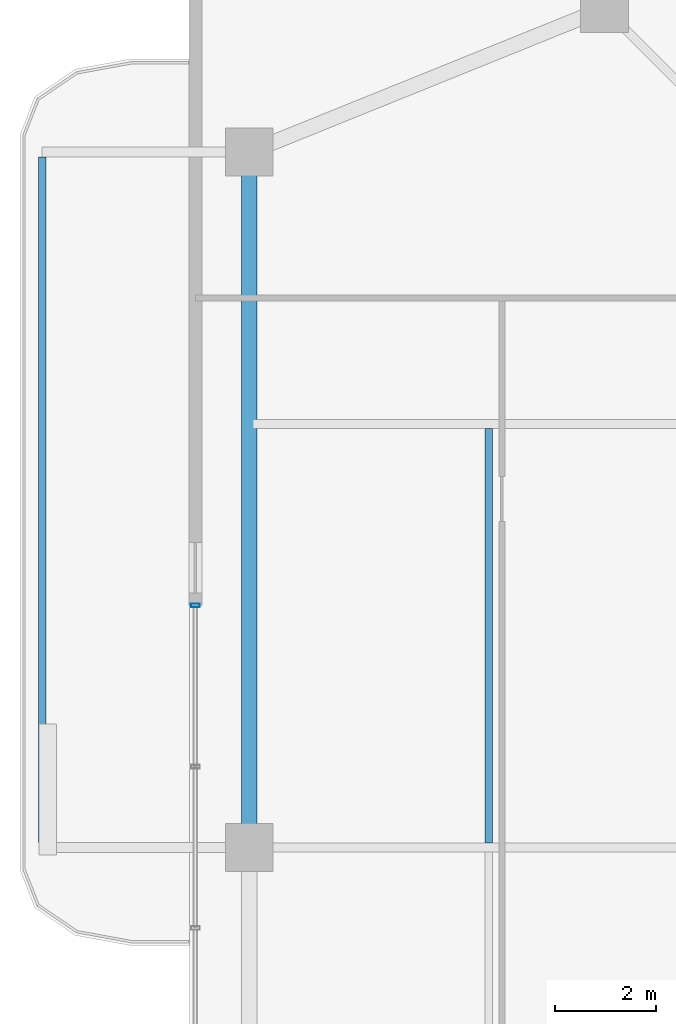
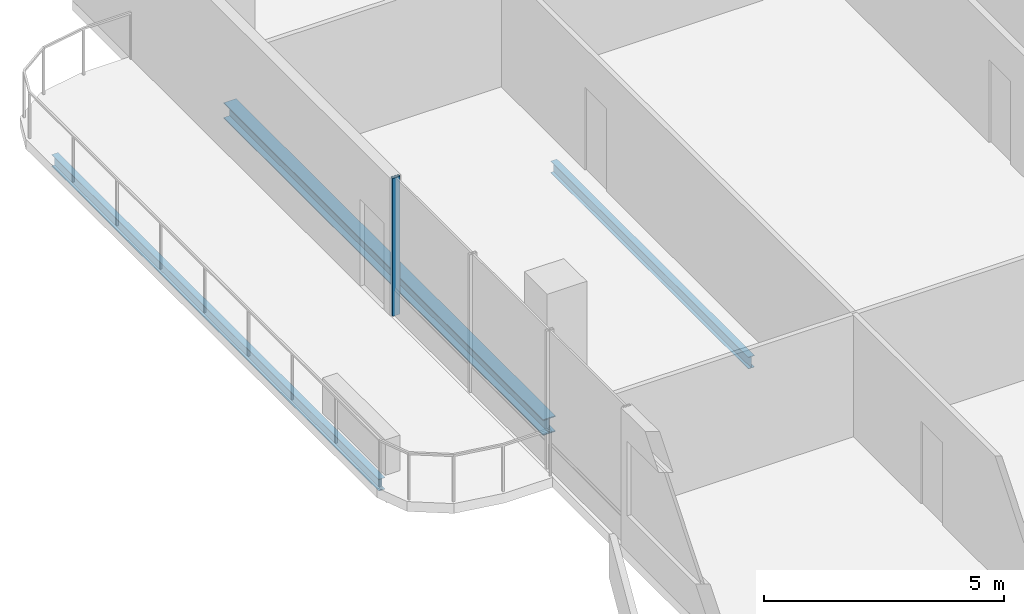
# One storey, part 11 of 25: 3 beams, 1 member, 1 element without a shape of its own.
"""IFC4 building model written with IfcOpenShell, lengths in metres."""

import ifcopenshell
import ifcopenshell.guid

model = None  # the IFC model being written
_history = None  # IfcOwnerHistory: only IFC2X3 demands one
_inside = {}  # id of a spatial element -> (the spatial element, [elements in it])
_under = {}  # id of a project, library or spatial element -> (it, [spatial elements below it])
_declared = {}  # id of a project -> (the project, [libraries it declares])
_typed = {}  # id of a type object -> (the type object, [elements of that type])
_made_of = {}  # id of a material, layer set ... -> (it, [elements and type objects made of it])


def new_model(schema):
    """Start an empty IFC model of exactly this schema.

    Asked for "IFC4X3", IfcOpenShell would pick the latest addendum, in which some entities
    have other attributes; the version numbers below select the first issue.
    IFC2X3 requires an IfcOwnerHistory on every rooted entity: one is made here for all.
    """
    global model, _history
    if schema == "IFC4X3":
        model = ifcopenshell.file(schema_version=(4, 3, 0, 0))
    else:
        model = ifcopenshell.file(schema=schema)
    _inside.clear()
    _under.clear()
    _declared.clear()
    _typed.clear()
    _made_of.clear()
    _history = None
    if model.schema == "IFC2X3":
        org = make("IfcOrganization", Name="unknown")
        user = make(
            "IfcPersonAndOrganization",
            ThePerson=make("IfcPerson", FamilyName="unknown"),
            TheOrganization=org,
        )
        app = make(
            "IfcApplication",
            ApplicationDeveloper=org,
            Version="unknown",
            ApplicationFullName="unknown",
            ApplicationIdentifier="unknown",
        )
        _history = make(
            "IfcOwnerHistory",
            OwningUser=user,
            OwningApplication=app,
            ChangeAction="ADDED",
            CreationDate=0,
        )
    return model


def make(cls, **values):
    """One entity of the class cls with the attributes given. An attribute that is None is left unset."""
    return model.create_entity(
        cls, **{name: value for name, value in values.items() if value is not None}
    )


def rooted(cls, **values):
    """An entity with a GlobalId (a new one), such as an element, a storey or a relation."""
    return make(cls, GlobalId=ifcopenshell.guid.new(), OwnerHistory=_history, **values)


def si_unit(unit_type, name, prefix=None):
    """IfcSIUnit, for example si_unit("LENGTHUNIT", "METRE", prefix="MILLI")."""
    return make("IfcSIUnit", UnitType=unit_type, Prefix=prefix, Name=name)


def assignment(units):
    """IfcUnitAssignment: the units of a project."""
    return None if units is None else make("IfcUnitAssignment", Units=units)


def point(xyz):
    """IfcCartesianPoint."""
    return None if xyz is None else make("IfcCartesianPoint", Coordinates=xyz)


def direction(xyz):
    """IfcDirection."""
    return None if xyz is None else make("IfcDirection", DirectionRatios=xyz)


def frame(location, z_axis=None, x_axis=None):
    """IfcAxis2Placement3D, a coordinate frame: its origin and axes. An axis left out is left unset."""
    return make(
        "IfcAxis2Placement3D",
        Location=point(location),
        Axis=direction(z_axis),
        RefDirection=direction(x_axis),
    )


def frame_2d(location, x_axis=None):
    """IfcAxis2Placement2D, a coordinate frame in the plane: its origin and x axis."""
    return make(
        "IfcAxis2Placement2D", Location=point(location), RefDirection=direction(x_axis)
    )


def origin():
    """The frame at (0, 0, 0) with its axes left unset."""
    return frame((0.0, 0.0, 0.0))


def origin_2d():
    """The frame at (0, 0) in the plane with its x axis left unset."""
    return frame_2d((0.0, 0.0))


def place(relative_to, where):
    """IfcLocalPlacement: puts the frame where relative to a parent placement (None: the world)."""
    return make(
        "IfcLocalPlacement", PlacementRelTo=relative_to, RelativePlacement=where
    )


def context(
    kind, dimensions, precision=None, world=None, true_north=None, identifier=None
):
    """IfcGeometricRepresentationContext, for example the 3D "Model" context."""
    return make(
        "IfcGeometricRepresentationContext",
        ContextIdentifier=identifier,
        ContextType=kind,
        CoordinateSpaceDimension=dimensions,
        Precision=precision,
        WorldCoordinateSystem=world,
        TrueNorth=true_north,
    )


def subcontext(parent, identifier, kind, view, scale=None):
    """IfcGeometricRepresentationSubContext, for example "Body" below "Model"."""
    return make(
        "IfcGeometricRepresentationSubContext",
        ContextIdentifier=identifier,
        ContextType=kind,
        ParentContext=parent,
        TargetScale=scale,
        TargetView=view,
    )


def project(units=None, contexts=None):
    """IfcProject with its units and contexts."""
    return rooted(
        "IfcProject",
        Name="project",
        RepresentationContexts=contexts,
        UnitsInContext=assignment(units),
    )


def spatial(cls, under=None, at=None, **own):
    """A site, building, storey or space (cls), placed at a placement, below another one or the project."""
    s = rooted(cls, ObjectPlacement=at, **own)
    if under is not None:
        _under.setdefault(under.id(), (under, []))[1].append(s)
    return s


def profile(cls, at=None, kind="AREA", **sizes):
    """A parametric profile (cls). Its sizes go by their IFC names, for example OverallWidth=200.0."""
    return make(cls, ProfileType=kind, Position=at, **sizes)


def hollow_rectangle(**sizes):
    """IfcRectangleHollowProfileDef."""
    return profile("IfcRectangleHollowProfileDef", **sizes)


def i_section(**sizes):
    """IfcIShapeProfileDef."""
    return profile("IfcIShapeProfileDef", **sizes)


def extrude(swept, where, along, depth):
    """IfcExtrudedAreaSolid: the profile swept, set in the frame where, extruded along a direction by depth."""
    return make(
        "IfcExtrudedAreaSolid",
        SweptArea=swept,
        Position=where,
        ExtrudedDirection=direction(along),
        Depth=depth,
    )


def shape(context_of_items, identifier, shape_type, items):
    """IfcShapeRepresentation: the items that make up one representation, for example the "Body"."""
    return make(
        "IfcShapeRepresentation",
        ContextOfItems=context_of_items,
        RepresentationIdentifier=identifier,
        RepresentationType=shape_type,
        Items=items,
    )


def material(Name=None, Category=None):
    """IfcMaterial."""
    return make("IfcMaterial", Name=Name, Category=Category)


def layer(
    of_material, thickness, ventilated=None, Name=None, Category=None, Priority=None
):
    """IfcMaterialLayer: one layer of a wall or slab, of a material (None: an air gap)."""
    return make(
        "IfcMaterialLayer",
        Material=of_material,
        LayerThickness=thickness,
        IsVentilated=ventilated,
        Name=Name,
        Category=Category,
        Priority=Priority,
    )


def layer_set(layers, Name=None):
    """IfcMaterialLayerSet."""
    return make("IfcMaterialLayerSet", MaterialLayers=layers, LayerSetName=Name)


def material_profile(
    of_material, cross_section, Name=None, Category=None, Priority=None
):
    """IfcMaterialProfile: a cross section and its material."""
    return make(
        "IfcMaterialProfile",
        Name=Name,
        Material=of_material,
        Profile=cross_section,
        Priority=Priority,
        Category=Category,
    )


def profile_set(profiles, Name=None, composite=None):
    """IfcMaterialProfileSet."""
    return make(
        "IfcMaterialProfileSet",
        Name=Name,
        MaterialProfiles=profiles,
        CompositeProfile=composite,
    )


def made_of(thing, what):
    """Note that an element or type object is made of a material, layer set ...; save() writes the relation."""
    if what is not None:
        _made_of.setdefault(what.id(), (what, []))[1].append(thing)
    return thing


def type_object(cls, material=None, **own):
    """A type object (cls), such as IfcWallType, which elements share."""
    return made_of(rooted(cls, **own), material)


def element(
    cls,
    number,
    at=None,
    inside=None,
    cuts=None,
    type_object=None,
    material=None,
    context=None,
    identifier="Body",
    shape_type=None,
    held_by="IfcProductDefinitionShape",
    body=None,
    shapes=None,
    **own,
):
    """One element of the class cls, such as IfcWall. Its Tag is "e" and its number.

    at: its placement. inside: the storey or other place that contains it. cuts: it is an
    opening in that element (IfcRelVoidsElement). A single representation is given by context,
    identifier, shape_type and body (its items); several are given by shapes. held_by: the class
    of the entity that holds the representations. save() writes the other relations.
    """
    e = rooted(cls, Tag="e%d" % number, ObjectPlacement=at, **own)
    if body is not None:
        shapes = [shape(context, identifier, shape_type, body)]
    if shapes is not None:
        e.Representation = make(held_by, Representations=shapes)
    if inside is not None:
        _inside.setdefault(inside.id(), (inside, []))[1].append(e)
    if cuts is not None:
        rooted(
            "IfcRelVoidsElement", RelatingBuildingElement=cuts, RelatedOpeningElement=e
        )
    if type_object is not None:
        _typed.setdefault(type_object.id(), (type_object, []))[1].append(e)
    return made_of(e, material)


def aggregate(whole, parts):
    """IfcRelAggregates: a whole, such as a stair, and the parts it consists of."""
    return rooted("IfcRelAggregates", RelatingObject=whole, RelatedObjects=parts)


def save(model, path):
    """Write the relations noted so far, then the file.

    IfcRelAggregates (storeys below a building ...), IfcRelContainedInSpatialStructure (elements
    in a storey), IfcRelDefinesByType, IfcRelAssociatesMaterial and IfcRelDeclares: one each for
    every whole, place, type object, material and project.
    """
    for whole, parts in _under.values():
        aggregate(whole, parts)
    for where, things in _inside.values():
        rooted(
            "IfcRelContainedInSpatialStructure",
            RelatedElements=things,
            RelatingStructure=where,
        )
    for kind, things in _typed.values():
        rooted("IfcRelDefinesByType", RelatedObjects=things, RelatingType=kind)
    for what, things in _made_of.values():
        rooted("IfcRelAssociatesMaterial", RelatedObjects=things, RelatingMaterial=what)
    for by, libraries in _declared.values():
        rooted("IfcRelDeclares", RelatingContext=by, RelatedDefinitions=libraries)
    model.write(path)


model = new_model("IFC4")

# Units and contexts
model_context = context("Model", 3, precision=1e-05, world=origin(), true_north=direction((0.0, 1.0)))
body_context = subcontext(model_context, "Body", "Model", "MODEL_VIEW")
ifc_project = project(units=[si_unit("LENGTHUNIT", "METRE"), si_unit("AREAUNIT", "SQUARE_METRE"), si_unit("VOLUMEUNIT", "CUBIC_METRE"), si_unit("PLANEANGLEUNIT", "RADIAN"), si_unit("MASSUNIT", "GRAM", prefix="KILO")], contexts=[model_context])

# Site, building, storey
site_placement = place(None, origin())
site = spatial("IfcSite", under=ifc_project, at=site_placement, CompositionType="ELEMENT")
building_placement = place(site_placement, origin())
building = spatial("IfcBuilding", under=site, at=building_placement, Name="Belovzor Exchange Tower", CompositionType="ELEMENT")
storey_placement = place(building_placement, frame((0.0, 0.0, 254.10009765625)))
storey = spatial("IfcBuildingStorey", under=building, at=storey_placement, Name="L63", CompositionType="ELEMENT", Elevation=254.10009765625)

# Beams
ifc_material_1 = material(Name="Steel S355", Category="steel")
ifc_material_profile_1 = material_profile(ifc_material_1, i_section(OverallWidth=0.14990234375, OverallDepth=0.300048828125, WebThickness=0.007080078125, FlangeThickness=0.0107421875, at=origin_2d()))
ifc_profile_set_1 = profile_set([ifc_material_profile_1], Name="Steel S355")
beam_type_1 = type_object("IfcBeamType", Name="Planted Balcony Fascia Edge Beam IPE 300", PredefinedType="BEAM", material=ifc_profile_set_1)
beam_1_placement = place(storey_placement, frame((0.989013671875, 42.5, -0.400146484375), z_axis=(0.0, -1.0, 0.0), x_axis=(1.0, 0.0, 0.0)))
element("IfcBeam", 1, at=beam_1_placement, inside=storey, type_object=beam_type_1, Name="BC-300 Planted Balcony Fascia Edge Beam IPE 300", PredefinedType="BEAM", context=body_context, shape_type="SweptSolid", body=[
    extrude(i_section(OverallWidth=0.14990234375, OverallDepth=0.300048828125, WebThickness=0.007080078125, FlangeThickness=0.0107421875, at=origin_2d()), origin(), (0.0, 0.0, 1.0), 13.60009765625),
])
ifc_material_2 = material(Name="Steel S355", Category="steel")
ifc_material_profile_2 = material_profile(ifc_material_2, i_section(OverallWidth=0.14990234375, OverallDepth=0.300048828125, WebThickness=0.007080078125, FlangeThickness=0.0107421875, at=origin_2d()))
ifc_profile_set_2 = profile_set([ifc_material_profile_2], Name="Steel S355")
beam_type_2 = type_object("IfcBeamType", Name="Secondary Trim Floor Joist IPE 300", PredefinedType="BEAM", material=ifc_profile_set_2)
beam_2_placement = place(storey_placement, frame((9.85498046875, 28.889892578125, -0.400146484375), z_axis=(0.0, 1.0, 0.0), x_axis=(-1.0, 0.0, 0.0)))
element("IfcBeam", 2, at=beam_2_placement, inside=storey, type_object=beam_type_2, Name="FJ-300 Secondary Trim Floor Joist IPE 300", PredefinedType="BEAM", context=body_context, shape_type="SweptSolid", body=[
    extrude(i_section(OverallWidth=0.14990234375, OverallDepth=0.300048828125, WebThickness=0.007080078125, FlangeThickness=0.0107421875, at=origin_2d()), origin(), (0.0, 0.0, 1.0), 8.22021484375),
])

# Curtain wall, member
ifc_material_3 = material(Name="Anodised Aluminium Framing", Category="aluminium")
ifc_layer = layer(ifc_material_3, 0.179931640625)
ifc_layer_set = layer_set([ifc_layer], Name="Anodised Aluminium Framing")
curtain_wall_type = type_object("IfcCurtainWallType", Name="Recessed Loggia Low-Iron Triple-Glazed Curtain Wall", PredefinedType="NOTDEFINED", material=ifc_layer_set)
curtain_wall_placement = place(storey_placement, origin())
curtain_wall = element("IfcCurtainWall", 3, at=curtain_wall_placement, inside=storey, type_object=curtain_wall_type, Name="CW3 Recessed Loggia Low-Iron Triple-Glazed Curtain Wall L63", PredefinedType="NOTDEFINED")
ifc_material_4 = material(Name="Steel S355", Category="steel")
ifc_material_profile_3 = material_profile(ifc_material_4, hollow_rectangle(XDim=0.074951171875, YDim=0.179931640625, WallThickness=0.0048828125, at=origin_2d()))
ifc_profile_set_3 = profile_set([ifc_material_profile_3], Name="Steel S355")
member_type = type_object("IfcMemberType", Name="Thermally Broken Curtain Wall Mullion 180x75", PredefinedType="MULLION", material=ifc_profile_set_3)
member_placement = place(storey_placement, frame((4.030029296875, 33.60009765625, 0.0), z_axis=(0.0, 0.0, 1.0), x_axis=(0.0, 1.0, 0.0)))
member = element("IfcMember", 4, at=member_placement, type_object=member_type, Name="CW-M180 Curtain Wall Mullion 4", PredefinedType="MULLION", context=body_context, shape_type="SweptSolid", body=[
    extrude(hollow_rectangle(XDim=0.074951171875, YDim=0.179931640625, WallThickness=0.0048828125, at=origin_2d()), origin(), (0.0, 0.0, 1.0), 3.5),
])
aggregate(curtain_wall, [member])

# Beam
ifc_material_5 = material(Name="Steel S355", Category="steel")
ifc_material_profile_4 = material_profile(ifc_material_5, i_section(OverallWidth=0.300048828125, OverallDepth=0.39990234375, WebThickness=0.013427734375, FlangeThickness=0.02392578125, at=origin_2d()))
ifc_profile_set_4 = profile_set([ifc_material_profile_4], Name="Steel S355")
beam_type_3 = type_object("IfcBeamType", Name="Zone 5 Primary Girder HEB 400", PredefinedType="BEAM", material=ifc_profile_set_4)
beam_3_placement = place(storey_placement, frame((5.10009765625, 42.339111328125, -0.4501953125), z_axis=(0.0, -1.0, 0.0), x_axis=(1.0, 0.0, 0.0)))
element("IfcBeam", 5, at=beam_3_placement, inside=storey, type_object=beam_type_3, Name="FG-Z5 Zone 5 Primary Girder HEB 400", PredefinedType="BEAM", context=body_context, shape_type="SweptSolid", body=[
    extrude(i_section(OverallWidth=0.300048828125, OverallDepth=0.39990234375, WebThickness=0.013427734375, FlangeThickness=0.02392578125, at=origin_2d()), origin(), (0.0, 0.0, 1.0), 13.278076171875),
])

save(model, "model.ifc")
